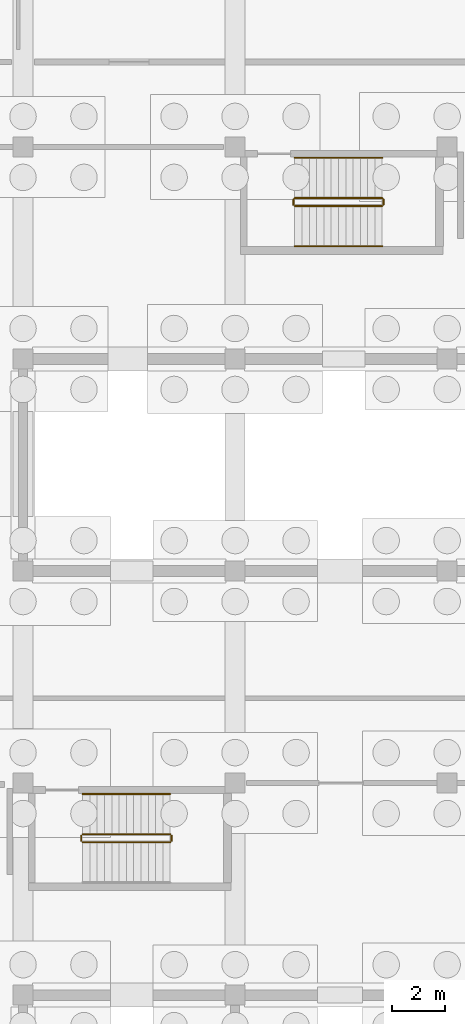
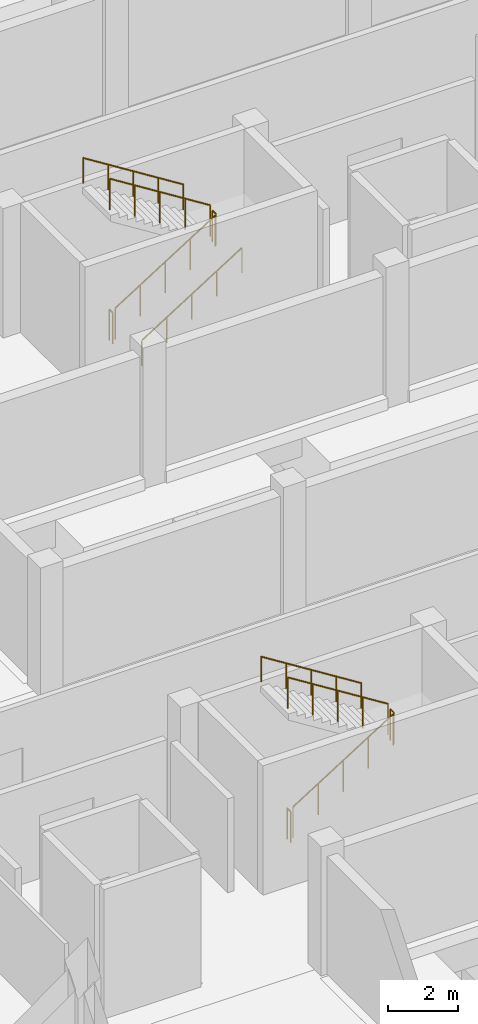
# One storey, part 50 of 51: 11 railings.
"""IFC4 building model written with IfcOpenShell, lengths in metres."""

import ifcopenshell
import ifcopenshell.guid

model = None  # the IFC model being written
_history = None  # IfcOwnerHistory: only IFC2X3 demands one
_inside = {}  # id of a spatial element -> (the spatial element, [elements in it])
_under = {}  # id of a project, library or spatial element -> (it, [spatial elements below it])
_declared = {}  # id of a project -> (the project, [libraries it declares])
_typed = {}  # id of a type object -> (the type object, [elements of that type])
_made_of = {}  # id of a material, layer set ... -> (it, [elements and type objects made of it])


def new_model(schema):
    """Start an empty IFC model of exactly this schema.

    Asked for "IFC4X3", IfcOpenShell would pick the latest addendum, in which some entities
    have other attributes; the version numbers below select the first issue.
    IFC2X3 requires an IfcOwnerHistory on every rooted entity: one is made here for all.
    """
    global model, _history
    if schema == "IFC4X3":
        model = ifcopenshell.file(schema_version=(4, 3, 0, 0))
    else:
        model = ifcopenshell.file(schema=schema)
    _inside.clear()
    _under.clear()
    _declared.clear()
    _typed.clear()
    _made_of.clear()
    _history = None
    if model.schema == "IFC2X3":
        org = make("IfcOrganization", Name="unknown")
        user = make(
            "IfcPersonAndOrganization",
            ThePerson=make("IfcPerson", FamilyName="unknown"),
            TheOrganization=org,
        )
        app = make(
            "IfcApplication",
            ApplicationDeveloper=org,
            Version="unknown",
            ApplicationFullName="unknown",
            ApplicationIdentifier="unknown",
        )
        _history = make(
            "IfcOwnerHistory",
            OwningUser=user,
            OwningApplication=app,
            ChangeAction="ADDED",
            CreationDate=0,
        )
    return model


def make(cls, **values):
    """One entity of the class cls with the attributes given. An attribute that is None is left unset."""
    return model.create_entity(
        cls, **{name: value for name, value in values.items() if value is not None}
    )


def rooted(cls, **values):
    """An entity with a GlobalId (a new one), such as an element, a storey or a relation."""
    return make(cls, GlobalId=ifcopenshell.guid.new(), OwnerHistory=_history, **values)


def si_unit(unit_type, name, prefix=None):
    """IfcSIUnit, for example si_unit("LENGTHUNIT", "METRE", prefix="MILLI")."""
    return make("IfcSIUnit", UnitType=unit_type, Prefix=prefix, Name=name)


def assignment(units):
    """IfcUnitAssignment: the units of a project."""
    return None if units is None else make("IfcUnitAssignment", Units=units)


def point(xyz):
    """IfcCartesianPoint."""
    return None if xyz is None else make("IfcCartesianPoint", Coordinates=xyz)


def direction(xyz):
    """IfcDirection."""
    return None if xyz is None else make("IfcDirection", DirectionRatios=xyz)


def frame(location, z_axis=None, x_axis=None):
    """IfcAxis2Placement3D, a coordinate frame: its origin and axes. An axis left out is left unset."""
    return make(
        "IfcAxis2Placement3D",
        Location=point(location),
        Axis=direction(z_axis),
        RefDirection=direction(x_axis),
    )


def frame_2d(location, x_axis=None):
    """IfcAxis2Placement2D, a coordinate frame in the plane: its origin and x axis."""
    return make(
        "IfcAxis2Placement2D", Location=point(location), RefDirection=direction(x_axis)
    )


def origin():
    """The frame at (0, 0, 0) with its axes left unset."""
    return frame((0.0, 0.0, 0.0))


def origin_2d():
    """The frame at (0, 0) in the plane with its x axis left unset."""
    return frame_2d((0.0, 0.0))


def place(relative_to, where):
    """IfcLocalPlacement: puts the frame where relative to a parent placement (None: the world)."""
    return make(
        "IfcLocalPlacement", PlacementRelTo=relative_to, RelativePlacement=where
    )


def context(
    kind, dimensions, precision=None, world=None, true_north=None, identifier=None
):
    """IfcGeometricRepresentationContext, for example the 3D "Model" context."""
    return make(
        "IfcGeometricRepresentationContext",
        ContextIdentifier=identifier,
        ContextType=kind,
        CoordinateSpaceDimension=dimensions,
        Precision=precision,
        WorldCoordinateSystem=world,
        TrueNorth=true_north,
    )


def subcontext(parent, identifier, kind, view, scale=None):
    """IfcGeometricRepresentationSubContext, for example "Body" below "Model"."""
    return make(
        "IfcGeometricRepresentationSubContext",
        ContextIdentifier=identifier,
        ContextType=kind,
        ParentContext=parent,
        TargetScale=scale,
        TargetView=view,
    )


def project(units=None, contexts=None):
    """IfcProject with its units and contexts."""
    return rooted(
        "IfcProject",
        Name="project",
        RepresentationContexts=contexts,
        UnitsInContext=assignment(units),
    )


def spatial(cls, under=None, at=None, **own):
    """A site, building, storey or space (cls), placed at a placement, below another one or the project."""
    s = rooted(cls, ObjectPlacement=at, **own)
    if under is not None:
        _under.setdefault(under.id(), (under, []))[1].append(s)
    return s


def profile(cls, at=None, kind="AREA", **sizes):
    """A parametric profile (cls). Its sizes go by their IFC names, for example OverallWidth=200.0."""
    return make(cls, ProfileType=kind, Position=at, **sizes)


def circle(**sizes):
    """IfcCircleProfileDef."""
    return profile("IfcCircleProfileDef", **sizes)


def extrude(swept, where, along, depth):
    """IfcExtrudedAreaSolid: the profile swept, set in the frame where, extruded along a direction by depth."""
    return make(
        "IfcExtrudedAreaSolid",
        SweptArea=swept,
        Position=where,
        ExtrudedDirection=direction(along),
        Depth=depth,
    )


def shape(context_of_items, identifier, shape_type, items):
    """IfcShapeRepresentation: the items that make up one representation, for example the "Body"."""
    return make(
        "IfcShapeRepresentation",
        ContextOfItems=context_of_items,
        RepresentationIdentifier=identifier,
        RepresentationType=shape_type,
        Items=items,
    )


def material(Name=None, Category=None):
    """IfcMaterial."""
    return make("IfcMaterial", Name=Name, Category=Category)


def made_of(thing, what):
    """Note that an element or type object is made of a material, layer set ...; save() writes the relation."""
    if what is not None:
        _made_of.setdefault(what.id(), (what, []))[1].append(thing)
    return thing


def type_object(cls, material=None, **own):
    """A type object (cls), such as IfcWallType, which elements share."""
    return made_of(rooted(cls, **own), material)


def element(
    cls,
    number,
    at=None,
    inside=None,
    cuts=None,
    type_object=None,
    material=None,
    context=None,
    identifier="Body",
    shape_type=None,
    held_by="IfcProductDefinitionShape",
    body=None,
    shapes=None,
    **own,
):
    """One element of the class cls, such as IfcWall. Its Tag is "e" and its number.

    at: its placement. inside: the storey or other place that contains it. cuts: it is an
    opening in that element (IfcRelVoidsElement). A single representation is given by context,
    identifier, shape_type and body (its items); several are given by shapes. held_by: the class
    of the entity that holds the representations. save() writes the other relations.
    """
    e = rooted(cls, Tag="e%d" % number, ObjectPlacement=at, **own)
    if body is not None:
        shapes = [shape(context, identifier, shape_type, body)]
    if shapes is not None:
        e.Representation = make(held_by, Representations=shapes)
    if inside is not None:
        _inside.setdefault(inside.id(), (inside, []))[1].append(e)
    if cuts is not None:
        rooted(
            "IfcRelVoidsElement", RelatingBuildingElement=cuts, RelatedOpeningElement=e
        )
    if type_object is not None:
        _typed.setdefault(type_object.id(), (type_object, []))[1].append(e)
    return made_of(e, material)


def aggregate(whole, parts):
    """IfcRelAggregates: a whole, such as a stair, and the parts it consists of."""
    return rooted("IfcRelAggregates", RelatingObject=whole, RelatedObjects=parts)


def save(model, path):
    """Write the relations noted so far, then the file.

    IfcRelAggregates (storeys below a building ...), IfcRelContainedInSpatialStructure (elements
    in a storey), IfcRelDefinesByType, IfcRelAssociatesMaterial and IfcRelDeclares: one each for
    every whole, place, type object, material and project.
    """
    for whole, parts in _under.values():
        aggregate(whole, parts)
    for where, things in _inside.values():
        rooted(
            "IfcRelContainedInSpatialStructure",
            RelatedElements=things,
            RelatingStructure=where,
        )
    for kind, things in _typed.values():
        rooted("IfcRelDefinesByType", RelatedObjects=things, RelatingType=kind)
    for what, things in _made_of.values():
        rooted("IfcRelAssociatesMaterial", RelatedObjects=things, RelatingMaterial=what)
    for by, libraries in _declared.values():
        rooted("IfcRelDeclares", RelatingContext=by, RelatedDefinitions=libraries)
    model.write(path)


model = new_model("IFC4")

# Units and contexts
model_context = context("Model", 3, precision=1e-05, world=origin(), true_north=direction((0.0, 1.0)))
body_context = subcontext(model_context, "Body", "Model", "MODEL_VIEW")
ifc_project = project(units=[si_unit("LENGTHUNIT", "METRE"), si_unit("AREAUNIT", "SQUARE_METRE"), si_unit("VOLUMEUNIT", "CUBIC_METRE"), si_unit("PLANEANGLEUNIT", "RADIAN"), si_unit("MASSUNIT", "GRAM", prefix="KILO")], contexts=[model_context])

# Site, building, storey
site_placement = place(None, origin())
site = spatial("IfcSite", under=ifc_project, at=site_placement, CompositionType="ELEMENT")
building_placement = place(site_placement, origin())
building = spatial("IfcBuilding", under=site, at=building_placement, Name="Jelvoka-Kovrelna Polytechnic", CompositionType="ELEMENT")
storey_placement = place(building_placement, frame((0.0, 0.0, -4.5)))
storey = spatial("IfcBuildingStorey", under=building, at=storey_placement, Name="B01", CompositionType="ELEMENT", Elevation=-4.5)

# Railings
ifc_material_1 = material(Name="Powder-coated steel stair guard", Category="steel")
railing_type_1 = type_object("IfcRailingType", Name="Railing_Stair_Guard_1100", PredefinedType="GUARDRAIL", material=ifc_material_1)
railing_1_placement = place(storey_placement, frame((154.25, 37.77001953125, 0.173095703125)))
element("IfcRailing", 1, at=railing_1_placement, inside=storey, type_object=railing_type_1, Name="B01 ST08 stair guard 1", PredefinedType="GUARDRAIL", context=body_context, shape_type="SweptSolid", body=[
    extrude(circle(Radius=0.02392578125, at=origin_2d()), frame((0.0, 0.0, 1.076171875), z_axis=(0.846337383501, 0.0, 0.532647194011), x_axis=(0.0, 1.0, 0.0)), (0.0, 0.0, 1.0), 3.899169921875),
    extrude(circle(Radius=0.02099609375, at=origin_2d()), origin(), (0.0, 0.0, 1.0), 1.052001953125),
    extrude(circle(Radius=0.02099609375, at=origin_2d()), frame((0.824951171875, 0.0, 0.519287109375)), (0.0, 0.0, 1.0), 1.052001953125),
    extrude(circle(Radius=0.02099609375, at=origin_2d()), frame((1.64990234375, 0.0, 1.03857421875)), (0.0, 0.0, 1.0), 1.052001953125),
    extrude(circle(Radius=0.02099609375, at=origin_2d()), frame((2.47509765625, 0.0, 1.5576171875)), (0.0, 0.0, 1.0), 1.052001953125),
    extrude(circle(Radius=0.02099609375, at=origin_2d()), frame((3.300048828125, 0.0, 2.076904296875)), (0.0, 0.0, 1.0), 1.052001953125),
])
railing_2_placement = place(storey_placement, frame((157.60009765625, 37.820068359375, 2.25)))
element("IfcRailing", 2, at=railing_2_placement, inside=storey, type_object=railing_type_1, Name="B01 ST08 stair guard 2", PredefinedType="GUARDRAIL", context=body_context, shape_type="SweptSolid", body=[
    extrude(circle(Radius=0.02392578125, at=origin_2d()), frame((0.0, 0.0, 1.076171875), z_axis=(0.0, 1.0, 0.0), x_axis=(-1.0, 0.0, 0.0)), (0.0, 0.0, 1.0), 0.199951171875),
    extrude(circle(Radius=0.02099609375, at=origin_2d()), origin(), (0.0, 0.0, 1.0), 1.052001953125),
    extrude(circle(Radius=0.02099609375, at=origin_2d()), frame((0.0, 0.199951171875, 0.0)), (0.0, 0.0, 1.0), 1.052001953125),
])
railing_3_placement = place(storey_placement, frame((157.550048828125, 38.070068359375, 2.423095703125)))
element("IfcRailing", 3, at=railing_3_placement, inside=storey, type_object=railing_type_1, Name="B01 ST08 stair guard 3", PredefinedType="GUARDRAIL", context=body_context, shape_type="SweptSolid", body=[
    extrude(circle(Radius=0.02392578125, at=origin_2d()), frame((0.0, 0.0, 1.076171875), z_axis=(-0.846337383501, 0.0, 0.532647194011), x_axis=(0.0, -1.0, 0.0)), (0.0, 0.0, 1.0), 3.899169921875),
    extrude(circle(Radius=0.02099609375, at=origin_2d()), origin(), (0.0, 0.0, 1.0), 1.052001953125),
    extrude(circle(Radius=0.02099609375, at=origin_2d()), frame((-0.824951171875, 0.0, 0.519287109375)), (0.0, 0.0, 1.0), 1.052001953125),
    extrude(circle(Radius=0.02099609375, at=origin_2d()), frame((-1.64990234375, 0.0, 1.03857421875)), (0.0, 0.0, 1.0), 1.052001953125),
    extrude(circle(Radius=0.02099609375, at=origin_2d()), frame((-2.47509765625, 0.0, 1.5576171875)), (0.0, 0.0, 1.0), 1.052001953125),
    extrude(circle(Radius=0.02099609375, at=origin_2d()), frame((-3.300048828125, 0.0, 2.076904296875)), (0.0, 0.0, 1.0), 1.052001953125),
])
railing_4_placement = place(storey_placement, frame((154.199951171875, 37.820068359375, 0.0)))
element("IfcRailing", 4, at=railing_4_placement, inside=storey, type_object=railing_type_1, Name="B01 ST08 stair guard 4", PredefinedType="GUARDRAIL", context=body_context, shape_type="SweptSolid", body=[
    extrude(circle(Radius=0.02392578125, at=origin_2d()), frame((0.0, 0.0, 1.076171875), z_axis=(0.0, 1.0, 0.0), x_axis=(-1.0, 0.0, 0.0)), (0.0, 0.0, 1.0), 0.199951171875),
    extrude(circle(Radius=0.02099609375, at=origin_2d()), origin(), (0.0, 0.0, 1.0), 1.052001953125),
    extrude(circle(Radius=0.02099609375, at=origin_2d()), frame((0.0, 0.199951171875, 0.0)), (0.0, 0.0, 1.0), 1.052001953125),
])
railing_5_placement = place(storey_placement, frame((162.25, 61.77001953125, 0.173095703125)))
element("IfcRailing", 5, at=railing_5_placement, inside=storey, type_object=railing_type_1, Name="B01 ST10 stair guard 1", PredefinedType="GUARDRAIL", context=body_context, shape_type="SweptSolid", body=[
    extrude(circle(Radius=0.02392578125, at=origin_2d()), frame((0.0, 0.0, 1.076171875), z_axis=(0.846337383501, 0.0, 0.532647194011), x_axis=(0.0, 1.0, 0.0)), (0.0, 0.0, 1.0), 3.899169921875),
    extrude(circle(Radius=0.02099609375, at=origin_2d()), origin(), (0.0, 0.0, 1.0), 1.052001953125),
    extrude(circle(Radius=0.02099609375, at=origin_2d()), frame((0.824951171875, 0.0, 0.519287109375)), (0.0, 0.0, 1.0), 1.052001953125),
    extrude(circle(Radius=0.02099609375, at=origin_2d()), frame((1.64990234375, 0.0, 1.03857421875)), (0.0, 0.0, 1.0), 1.052001953125),
    extrude(circle(Radius=0.02099609375, at=origin_2d()), frame((2.47509765625, 0.0, 1.5576171875)), (0.0, 0.0, 1.0), 1.052001953125),
    extrude(circle(Radius=0.02099609375, at=origin_2d()), frame((3.300048828125, 0.0, 2.076904296875)), (0.0, 0.0, 1.0), 1.052001953125),
])
railing_6_placement = place(storey_placement, frame((165.60009765625, 61.820068359375, 2.25)))
element("IfcRailing", 6, at=railing_6_placement, inside=storey, type_object=railing_type_1, Name="B01 ST10 stair guard 2", PredefinedType="GUARDRAIL", context=body_context, shape_type="SweptSolid", body=[
    extrude(circle(Radius=0.02392578125, at=origin_2d()), frame((0.0, 0.0, 1.076171875), z_axis=(0.0, 1.0, 0.0), x_axis=(-1.0, 0.0, 0.0)), (0.0, 0.0, 1.0), 0.199951171875),
    extrude(circle(Radius=0.02099609375, at=origin_2d()), origin(), (0.0, 0.0, 1.0), 1.052001953125),
    extrude(circle(Radius=0.02099609375, at=origin_2d()), frame((0.0, 0.199951171875, 0.0)), (0.0, 0.0, 1.0), 1.052001953125),
])
railing_7_placement = place(storey_placement, frame((165.550048828125, 62.070068359375, 2.423095703125)))
element("IfcRailing", 7, at=railing_7_placement, inside=storey, type_object=railing_type_1, Name="B01 ST10 stair guard 3", PredefinedType="GUARDRAIL", context=body_context, shape_type="SweptSolid", body=[
    extrude(circle(Radius=0.02392578125, at=origin_2d()), frame((0.0, 0.0, 1.076171875), z_axis=(-0.846337383501, 0.0, 0.532647194011), x_axis=(0.0, -1.0, 0.0)), (0.0, 0.0, 1.0), 3.899169921875),
    extrude(circle(Radius=0.02099609375, at=origin_2d()), origin(), (0.0, 0.0, 1.0), 1.052001953125),
    extrude(circle(Radius=0.02099609375, at=origin_2d()), frame((-0.824951171875, 0.0, 0.519287109375)), (0.0, 0.0, 1.0), 1.052001953125),
    extrude(circle(Radius=0.02099609375, at=origin_2d()), frame((-1.64990234375, 0.0, 1.03857421875)), (0.0, 0.0, 1.0), 1.052001953125),
    extrude(circle(Radius=0.02099609375, at=origin_2d()), frame((-2.47509765625, 0.0, 1.5576171875)), (0.0, 0.0, 1.0), 1.052001953125),
    extrude(circle(Radius=0.02099609375, at=origin_2d()), frame((-3.300048828125, 0.0, 2.076904296875)), (0.0, 0.0, 1.0), 1.052001953125),
])
railing_8_placement = place(storey_placement, frame((162.199951171875, 61.820068359375, 0.0)))
element("IfcRailing", 8, at=railing_8_placement, inside=storey, type_object=railing_type_1, Name="B01 ST10 stair guard 4", PredefinedType="GUARDRAIL", context=body_context, shape_type="SweptSolid", body=[
    extrude(circle(Radius=0.02392578125, at=origin_2d()), frame((0.0, 0.0, 1.076171875), z_axis=(0.0, 1.0, 0.0), x_axis=(-1.0, 0.0, 0.0)), (0.0, 0.0, 1.0), 0.199951171875),
    extrude(circle(Radius=0.02099609375, at=origin_2d()), origin(), (0.0, 0.0, 1.0), 1.052001953125),
    extrude(circle(Radius=0.02099609375, at=origin_2d()), frame((0.0, 0.199951171875, 0.0)), (0.0, 0.0, 1.0), 1.052001953125),
])
ifc_material_2 = material(Name="Brushed stainless steel handrail", Category="steel")
railing_type_2 = type_object("IfcRailingType", Name="Railing_Stair_Handrail_900", PredefinedType="HANDRAIL", material=ifc_material_2)
railing_9_placement = place(storey_placement, frame((157.550048828125, 39.590087890625, 2.423095703125)))
element("IfcRailing", 9, at=railing_9_placement, inside=storey, type_object=railing_type_2, Name="B01 ST08 stair handrail 2", PredefinedType="HANDRAIL", context=body_context, shape_type="SweptSolid", body=[
    extrude(circle(Radius=0.02392578125, at=origin_2d()), frame((0.0, 0.0, 0.8759765625), z_axis=(-0.846337383501, 0.0, 0.532647194011), x_axis=(0.0, -1.0, 0.0)), (0.0, 0.0, 1.0), 3.899169921875),
    extrude(circle(Radius=0.02099609375, at=origin_2d()), origin(), (0.0, 0.0, 1.0), 0.851806640625),
    extrude(circle(Radius=0.02099609375, at=origin_2d()), frame((-0.824951171875, 0.0, 0.519287109375)), (0.0, 0.0, 1.0), 0.851806640625),
    extrude(circle(Radius=0.02099609375, at=origin_2d()), frame((-1.64990234375, 0.0, 1.03857421875)), (0.0, 0.0, 1.0), 0.851806640625),
    extrude(circle(Radius=0.02099609375, at=origin_2d()), frame((-2.47509765625, 0.0, 1.5576171875)), (0.0, 0.0, 1.0), 0.851806640625),
    extrude(circle(Radius=0.02099609375, at=origin_2d()), frame((-3.300048828125, 0.0, 2.076904296875)), (0.0, 0.0, 1.0), 0.851806640625),
])
railing_10_placement = place(storey_placement, frame((162.25, 60.25, 0.173095703125)))
element("IfcRailing", 10, at=railing_10_placement, inside=storey, type_object=railing_type_2, Name="B01 ST10 stair handrail 1", PredefinedType="HANDRAIL", context=body_context, shape_type="SweptSolid", body=[
    extrude(circle(Radius=0.02392578125, at=origin_2d()), frame((0.0, 0.0, 0.8759765625), z_axis=(0.846337383501, 0.0, 0.532647194011), x_axis=(0.0, 1.0, 0.0)), (0.0, 0.0, 1.0), 3.899169921875),
    extrude(circle(Radius=0.02099609375, at=origin_2d()), origin(), (0.0, 0.0, 1.0), 0.851806640625),
    extrude(circle(Radius=0.02099609375, at=origin_2d()), frame((0.824951171875, 0.0, 0.519287109375)), (0.0, 0.0, 1.0), 0.851806640625),
    extrude(circle(Radius=0.02099609375, at=origin_2d()), frame((1.64990234375, 0.0, 1.03857421875)), (0.0, 0.0, 1.0), 0.851806640625),
    extrude(circle(Radius=0.02099609375, at=origin_2d()), frame((2.47509765625, 0.0, 1.5576171875)), (0.0, 0.0, 1.0), 0.851806640625),
    extrude(circle(Radius=0.02099609375, at=origin_2d()), frame((3.300048828125, 0.0, 2.076904296875)), (0.0, 0.0, 1.0), 0.851806640625),
])
railing_11_placement = place(storey_placement, frame((165.550048828125, 63.590087890625, 2.423095703125)))
element("IfcRailing", 11, at=railing_11_placement, inside=storey, type_object=railing_type_2, Name="B01 ST10 stair handrail 2", PredefinedType="HANDRAIL", context=body_context, shape_type="SweptSolid", body=[
    extrude(circle(Radius=0.02392578125, at=origin_2d()), frame((0.0, 0.0, 0.8759765625), z_axis=(-0.846337383501, 0.0, 0.532647194011), x_axis=(0.0, -1.0, 0.0)), (0.0, 0.0, 1.0), 3.899169921875),
    extrude(circle(Radius=0.02099609375, at=origin_2d()), origin(), (0.0, 0.0, 1.0), 0.851806640625),
    extrude(circle(Radius=0.02099609375, at=origin_2d()), frame((-0.824951171875, 0.0, 0.519287109375)), (0.0, 0.0, 1.0), 0.851806640625),
    extrude(circle(Radius=0.02099609375, at=origin_2d()), frame((-1.64990234375, 0.0, 1.03857421875)), (0.0, 0.0, 1.0), 0.851806640625),
    extrude(circle(Radius=0.02099609375, at=origin_2d()), frame((-2.47509765625, 0.0, 1.5576171875)), (0.0, 0.0, 1.0), 0.851806640625),
    extrude(circle(Radius=0.02099609375, at=origin_2d()), frame((-3.300048828125, 0.0, 2.076904296875)), (0.0, 0.0, 1.0), 0.851806640625),
])

save(model, "model.ifc")
